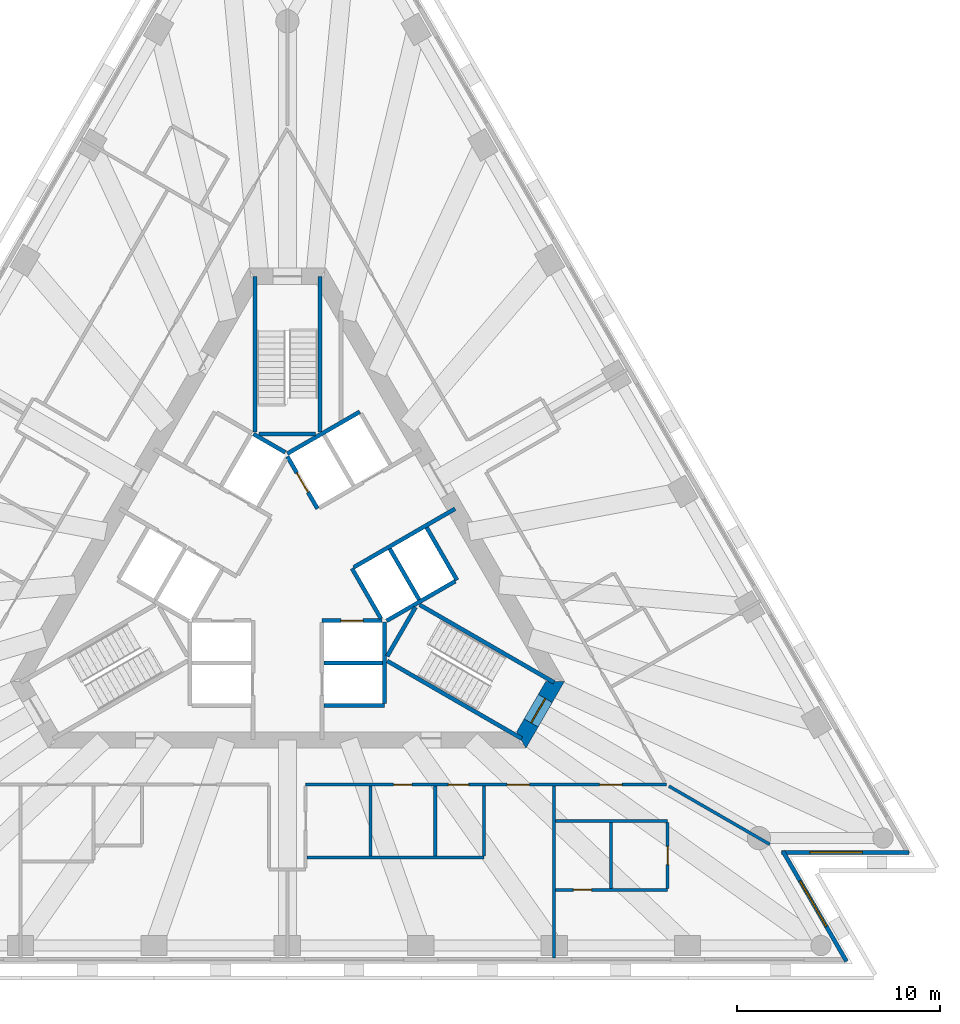
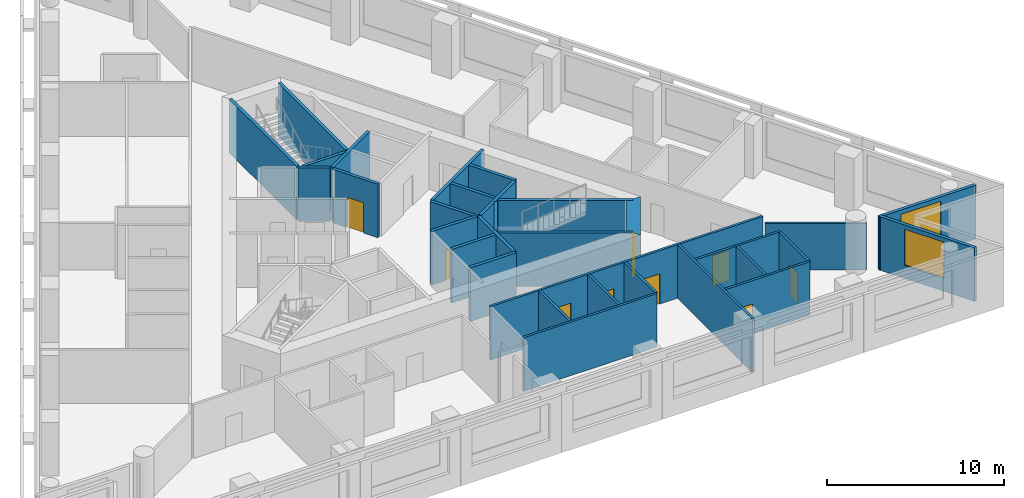
# One storey, part 5 of 10: 32 walls, 9 doors, 2 windows, 11 openings.
"""IFC4 building model written with IfcOpenShell, lengths in metres."""

import ifcopenshell
import ifcopenshell.guid

model = None  # the IFC model being written
_history = None  # IfcOwnerHistory: only IFC2X3 demands one
_inside = {}  # id of a spatial element -> (the spatial element, [elements in it])
_under = {}  # id of a project, library or spatial element -> (it, [spatial elements below it])
_declared = {}  # id of a project -> (the project, [libraries it declares])
_typed = {}  # id of a type object -> (the type object, [elements of that type])
_made_of = {}  # id of a material, layer set ... -> (it, [elements and type objects made of it])


def new_model(schema):
    """Start an empty IFC model of exactly this schema.

    Asked for "IFC4X3", IfcOpenShell would pick the latest addendum, in which some entities
    have other attributes; the version numbers below select the first issue.
    IFC2X3 requires an IfcOwnerHistory on every rooted entity: one is made here for all.
    """
    global model, _history
    if schema == "IFC4X3":
        model = ifcopenshell.file(schema_version=(4, 3, 0, 0))
    else:
        model = ifcopenshell.file(schema=schema)
    _inside.clear()
    _under.clear()
    _declared.clear()
    _typed.clear()
    _made_of.clear()
    _history = None
    if model.schema == "IFC2X3":
        org = make("IfcOrganization", Name="unknown")
        user = make(
            "IfcPersonAndOrganization",
            ThePerson=make("IfcPerson", FamilyName="unknown"),
            TheOrganization=org,
        )
        app = make(
            "IfcApplication",
            ApplicationDeveloper=org,
            Version="unknown",
            ApplicationFullName="unknown",
            ApplicationIdentifier="unknown",
        )
        _history = make(
            "IfcOwnerHistory",
            OwningUser=user,
            OwningApplication=app,
            ChangeAction="ADDED",
            CreationDate=0,
        )
    return model


def make(cls, **values):
    """One entity of the class cls with the attributes given. An attribute that is None is left unset."""
    return model.create_entity(
        cls, **{name: value for name, value in values.items() if value is not None}
    )


def rooted(cls, **values):
    """An entity with a GlobalId (a new one), such as an element, a storey or a relation."""
    return make(cls, GlobalId=ifcopenshell.guid.new(), OwnerHistory=_history, **values)


def si_unit(unit_type, name, prefix=None):
    """IfcSIUnit, for example si_unit("LENGTHUNIT", "METRE", prefix="MILLI")."""
    return make("IfcSIUnit", UnitType=unit_type, Prefix=prefix, Name=name)


def assignment(units):
    """IfcUnitAssignment: the units of a project."""
    return None if units is None else make("IfcUnitAssignment", Units=units)


def point(xyz):
    """IfcCartesianPoint."""
    return None if xyz is None else make("IfcCartesianPoint", Coordinates=xyz)


def direction(xyz):
    """IfcDirection."""
    return None if xyz is None else make("IfcDirection", DirectionRatios=xyz)


def frame(location, z_axis=None, x_axis=None):
    """IfcAxis2Placement3D, a coordinate frame: its origin and axes. An axis left out is left unset."""
    return make(
        "IfcAxis2Placement3D",
        Location=point(location),
        Axis=direction(z_axis),
        RefDirection=direction(x_axis),
    )


def frame_2d(location, x_axis=None):
    """IfcAxis2Placement2D, a coordinate frame in the plane: its origin and x axis."""
    return make(
        "IfcAxis2Placement2D", Location=point(location), RefDirection=direction(x_axis)
    )


def origin():
    """The frame at (0, 0, 0) with its axes left unset."""
    return frame((0.0, 0.0, 0.0))


def place(relative_to, where):
    """IfcLocalPlacement: puts the frame where relative to a parent placement (None: the world)."""
    return make(
        "IfcLocalPlacement", PlacementRelTo=relative_to, RelativePlacement=where
    )


def context(
    kind, dimensions, precision=None, world=None, true_north=None, identifier=None
):
    """IfcGeometricRepresentationContext, for example the 3D "Model" context."""
    return make(
        "IfcGeometricRepresentationContext",
        ContextIdentifier=identifier,
        ContextType=kind,
        CoordinateSpaceDimension=dimensions,
        Precision=precision,
        WorldCoordinateSystem=world,
        TrueNorth=true_north,
    )


def subcontext(parent, identifier, kind, view, scale=None):
    """IfcGeometricRepresentationSubContext, for example "Body" below "Model"."""
    return make(
        "IfcGeometricRepresentationSubContext",
        ContextIdentifier=identifier,
        ContextType=kind,
        ParentContext=parent,
        TargetScale=scale,
        TargetView=view,
    )


def project(units=None, contexts=None):
    """IfcProject with its units and contexts."""
    return rooted(
        "IfcProject",
        Name="project",
        RepresentationContexts=contexts,
        UnitsInContext=assignment(units),
    )


def spatial(cls, under=None, at=None, **own):
    """A site, building, storey or space (cls), placed at a placement, below another one or the project."""
    s = rooted(cls, ObjectPlacement=at, **own)
    if under is not None:
        _under.setdefault(under.id(), (under, []))[1].append(s)
    return s


def polyline(points):
    """IfcPolyline through the points."""
    return make("IfcPolyline", Points=[point(p) for p in points])


def profile(cls, at=None, kind="AREA", **sizes):
    """A parametric profile (cls). Its sizes go by their IFC names, for example OverallWidth=200.0."""
    return make(cls, ProfileType=kind, Position=at, **sizes)


def rectangle(**sizes):
    """IfcRectangleProfileDef."""
    return profile("IfcRectangleProfileDef", **sizes)


def outline(outer, holes=None, kind="AREA"):
    """IfcArbitraryClosedProfileDef: a profile drawn as a closed curve; with holes, ...WithVoids."""
    if holes is None:
        return make("IfcArbitraryClosedProfileDef", ProfileType=kind, OuterCurve=outer)
    return make(
        "IfcArbitraryProfileDefWithVoids",
        ProfileType=kind,
        OuterCurve=outer,
        InnerCurves=holes,
    )


def extrude(swept, where, along, depth):
    """IfcExtrudedAreaSolid: the profile swept, set in the frame where, extruded along a direction by depth."""
    return make(
        "IfcExtrudedAreaSolid",
        SweptArea=swept,
        Position=where,
        ExtrudedDirection=direction(along),
        Depth=depth,
    )


def shape(context_of_items, identifier, shape_type, items):
    """IfcShapeRepresentation: the items that make up one representation, for example the "Body"."""
    return make(
        "IfcShapeRepresentation",
        ContextOfItems=context_of_items,
        RepresentationIdentifier=identifier,
        RepresentationType=shape_type,
        Items=items,
    )


def material(Name=None, Category=None):
    """IfcMaterial."""
    return make("IfcMaterial", Name=Name, Category=Category)


def layer(
    of_material, thickness, ventilated=None, Name=None, Category=None, Priority=None
):
    """IfcMaterialLayer: one layer of a wall or slab, of a material (None: an air gap)."""
    return make(
        "IfcMaterialLayer",
        Material=of_material,
        LayerThickness=thickness,
        IsVentilated=ventilated,
        Name=Name,
        Category=Category,
        Priority=Priority,
    )


def layer_set(layers, Name=None):
    """IfcMaterialLayerSet."""
    return make("IfcMaterialLayerSet", MaterialLayers=layers, LayerSetName=Name)


def layer_usage(for_layer_set, set_direction, sense, offset, extent=None):
    """IfcMaterialLayerSetUsage: how a layer set lies in its element."""
    return make(
        "IfcMaterialLayerSetUsage",
        ForLayerSet=for_layer_set,
        LayerSetDirection=set_direction,
        DirectionSense=sense,
        OffsetFromReferenceLine=offset,
        ReferenceExtent=extent,
    )


def made_of(thing, what):
    """Note that an element or type object is made of a material, layer set ...; save() writes the relation."""
    if what is not None:
        _made_of.setdefault(what.id(), (what, []))[1].append(thing)
    return thing


def type_object(cls, material=None, **own):
    """A type object (cls), such as IfcWallType, which elements share."""
    return made_of(rooted(cls, **own), material)


def element(
    cls,
    number,
    at=None,
    inside=None,
    cuts=None,
    type_object=None,
    material=None,
    context=None,
    identifier="Body",
    shape_type=None,
    held_by="IfcProductDefinitionShape",
    body=None,
    shapes=None,
    **own,
):
    """One element of the class cls, such as IfcWall. Its Tag is "e" and its number.

    at: its placement. inside: the storey or other place that contains it. cuts: it is an
    opening in that element (IfcRelVoidsElement). A single representation is given by context,
    identifier, shape_type and body (its items); several are given by shapes. held_by: the class
    of the entity that holds the representations. save() writes the other relations.
    """
    e = rooted(cls, Tag="e%d" % number, ObjectPlacement=at, **own)
    if body is not None:
        shapes = [shape(context, identifier, shape_type, body)]
    if shapes is not None:
        e.Representation = make(held_by, Representations=shapes)
    if inside is not None:
        _inside.setdefault(inside.id(), (inside, []))[1].append(e)
    if cuts is not None:
        rooted(
            "IfcRelVoidsElement", RelatingBuildingElement=cuts, RelatedOpeningElement=e
        )
    if type_object is not None:
        _typed.setdefault(type_object.id(), (type_object, []))[1].append(e)
    return made_of(e, material)


def fill(opening, filler):
    """IfcRelFillsElement: the door or window that sits in an opening."""
    return rooted(
        "IfcRelFillsElement",
        RelatingOpeningElement=opening,
        RelatedBuildingElement=filler,
    )


def aggregate(whole, parts):
    """IfcRelAggregates: a whole, such as a stair, and the parts it consists of."""
    return rooted("IfcRelAggregates", RelatingObject=whole, RelatedObjects=parts)


def save(model, path):
    """Write the relations noted so far, then the file.

    IfcRelAggregates (storeys below a building ...), IfcRelContainedInSpatialStructure (elements
    in a storey), IfcRelDefinesByType, IfcRelAssociatesMaterial and IfcRelDeclares: one each for
    every whole, place, type object, material and project.
    """
    for whole, parts in _under.values():
        aggregate(whole, parts)
    for where, things in _inside.values():
        rooted(
            "IfcRelContainedInSpatialStructure",
            RelatedElements=things,
            RelatingStructure=where,
        )
    for kind, things in _typed.values():
        rooted("IfcRelDefinesByType", RelatedObjects=things, RelatingType=kind)
    for what, things in _made_of.values():
        rooted("IfcRelAssociatesMaterial", RelatedObjects=things, RelatingMaterial=what)
    for by, libraries in _declared.values():
        rooted("IfcRelDeclares", RelatingContext=by, RelatedDefinitions=libraries)
    model.write(path)


model = new_model("IFC4")

# Units and contexts
model_context = context("Model", 3, precision=1e-05, world=origin(), true_north=direction((0.0, 1.0)))
body_context = subcontext(model_context, "Body", "Model", "MODEL_VIEW")
ifc_project = project(units=[si_unit("LENGTHUNIT", "METRE"), si_unit("AREAUNIT", "SQUARE_METRE"), si_unit("VOLUMEUNIT", "CUBIC_METRE"), si_unit("PLANEANGLEUNIT", "RADIAN"), si_unit("MASSUNIT", "GRAM", prefix="KILO")], contexts=[model_context])

# Site, building, storey
site_placement = place(None, origin())
site = spatial("IfcSite", under=ifc_project, at=site_placement, CompositionType="ELEMENT")
building_placement = place(site_placement, origin())
building = spatial("IfcBuilding", under=site, at=building_placement, Name="Triada Interchange Tower", CompositionType="ELEMENT")
storey_placement = place(building_placement, frame((0.0, 0.0, 156.300048828125)))
storey = spatial("IfcBuildingStorey", under=building, at=storey_placement, Name="L36", CompositionType="ELEMENT", Elevation=156.300048828125)

# Walls
ifc_material_1 = material(Name="Concrete C30/37", Category="concrete")
ifc_layer_1 = layer(ifc_material_1, 0.199951171875)
ifc_layer_set_1 = layer_set([ifc_layer_1], Name="CORE WALL 200 EI 120")
wall_type_1 = type_object("IfcWallType", Name="CORE WALL 200 EI 120", PredefinedType="SOLIDWALL", material=ifc_layer_set_1)
wall_1_placement = place(storey_placement, frame((1.800048828125, -6.89990234375, 0.0), z_axis=(0.0, 0.0, 1.0), x_axis=(1.0, 0.0, 0.0)))
element("IfcWall", 1, at=wall_1_placement, inside=storey, type_object=wall_type_1, Name="Wall L35 55", PredefinedType="SOLIDWALL", context=body_context, shape_type="SweptSolid", body=[
    extrude(rectangle(XDim=3.0, YDim=0.199951171875, at=frame_2d((1.5, 0.0))), origin(), (0.0, 0.0, 1.0), 3.699951171875),
])
wall_2_placement = place(storey_placement, frame((1.800048828125, -4.800048828125, 0.0), z_axis=(0.0, 0.0, 1.0), x_axis=(1.0, 0.0, 0.0)))
element("IfcWall", 2, at=wall_2_placement, inside=storey, type_object=wall_type_1, Name="Wall L35 57", PredefinedType="SOLIDWALL", context=body_context, shape_type="SweptSolid", body=[
    extrude(rectangle(XDim=2.89990234375, YDim=0.199951171875, at=frame_2d((1.449951171875, 0.0))), origin(), (0.0, 0.0, 1.0), 3.699951171875),
])

# Wall, opening, door
wall_3_placement = place(storey_placement, frame((1.702880859375, -2.699951171875, 0.0), z_axis=(0.0, 0.0, 1.0), x_axis=(1.0, 0.0, 0.0)))
wall_3 = element("IfcWall", 3, at=wall_3_placement, inside=storey, type_object=wall_type_1, Name="Wall L35 60", PredefinedType="SOLIDWALL", context=body_context, shape_type="SweptSolid", body=[
    extrude(rectangle(XDim=2.97314453125, YDim=0.199951171875, at=frame_2d((1.486572265625, 0.0))), origin(), (0.0, 0.0, 1.0), 3.699951171875),
])
opening_1_placement = place(wall_3_placement, frame((0.93603515625, 0.0, 0.0)))
opening_1 = element("IfcOpeningElement", 4, at=opening_1_placement, cuts=wall_3, Name="Opening LD-LR1", PredefinedType="OPENING", context=body_context, shape_type="SweptSolid", body=[
    extrude(rectangle(XDim=1.10009765625, YDim=2.10009765625, at=frame_2d((0.550048828125, 1.050048828125))), frame((0.0, 0.10986328125, 0.0), z_axis=(0.0, -1.0, 0.0), x_axis=(1.0, 0.0, 0.0)), (0.0, 0.0, 1.0), 0.219970703125),
])
ifc_material_2 = material(Name="Steel S235 door leaf", Category="steel")
door_type_1 = type_object("IfcDoorType", Name="LIFT LANDING DOOR 1100 EI 120", OperationType="SLIDING_TO_LEFT", PredefinedType="DOOR", material=ifc_material_2)
door_1_placement = place(opening_1_placement, origin())
door_1 = element("IfcDoor", 5, at=door_1_placement, inside=storey, type_object=door_type_1, Name="LR1 landing door L36", OperationType="SLIDING_TO_LEFT", OverallHeight=2.10009765625, OverallWidth=1.10009765625, PredefinedType="DOOR", context=body_context, shape_type="SweptSolid", body=[
    extrude(rectangle(XDim=1.10009765625, YDim=2.10009765625, at=frame_2d((0.550048828125, 1.050048828125))), frame((0.0, 0.02490234375, 0.0), z_axis=(0.0, -1.0, 0.0), x_axis=(1.0, 0.0, 0.0)), (0.0, 0.0, 1.0), 0.050048828125),
])
fill(opening_1, door_1)

# Wall
wall_4_placement = place(storey_placement, frame((-0.001953125, 5.541015625, 0.0), z_axis=(0.0, 0.0, 1.0), x_axis=(0.86600155993, 0.500041296494, 0.0)))
element("IfcWall", 6, at=wall_4_placement, inside=storey, type_object=wall_type_1, Name="Wall L35 61", PredefinedType="SOLIDWALL", context=body_context, shape_type="SweptSolid", body=[
    extrude(rectangle(XDim=4.131591796875, YDim=0.199951171875, at=frame_2d((2.06591796875, 0.0))), origin(), (0.0, 0.0, 1.0), 3.699951171875),
])

# Wall, opening, door
wall_5_placement = place(storey_placement, frame((0.0, 5.39990234375, 0.0), z_axis=(0.0, 0.0, 1.0), x_axis=(0.500103862429, -0.865965430478, 0.0)))
wall_5 = element("IfcWall", 7, at=wall_5_placement, inside=storey, type_object=wall_type_1, Name="Wall L35 62", PredefinedType="SOLIDWALL", context=body_context, shape_type="SweptSolid", body=[
    extrude(rectangle(XDim=2.973388671875, YDim=0.199951171875, at=frame_2d((1.48681640625, 0.0))), origin(), (0.0, 0.0, 1.0), 3.699951171875),
])
opening_2_placement = place(wall_5_placement, frame((0.93701171875, 0.0, 0.0)))
opening_2 = element("IfcOpeningElement", 8, at=opening_2_placement, cuts=wall_5, Name="Opening LD-LR5", PredefinedType="OPENING", context=body_context, shape_type="SweptSolid", body=[
    extrude(rectangle(XDim=1.10009765625, YDim=2.10009765625, at=frame_2d((0.550048828125, 1.050048828125))), frame((0.0, 0.10986328125, 0.0), z_axis=(0.0, -1.0, 0.0), x_axis=(1.0, 0.0, 0.0)), (0.0, 0.0, 1.0), 0.219970703125),
])
door_2_placement = place(opening_2_placement, origin())
door_2 = element("IfcDoor", 9, at=door_2_placement, inside=storey, type_object=door_type_1, Name="LR5 landing door L36", OperationType="SLIDING_TO_LEFT", OverallHeight=2.10009765625, OverallWidth=1.10009765625, PredefinedType="DOOR", context=body_context, shape_type="SweptSolid", body=[
    extrude(rectangle(XDim=1.10009765625, YDim=2.10009765625, at=frame_2d((0.550048828125, 1.050048828125))), frame((0.0, 0.02490234375, 0.0), z_axis=(0.0, -1.0, 0.0), x_axis=(1.0, 0.0, 0.0)), (0.0, 0.0, 1.0), 0.050048828125),
])
fill(opening_2, door_2)

# Walls
wall_6_placement = place(storey_placement, frame((3.18994140625, -0.125, 0.0), z_axis=(0.0, 0.0, 1.0), x_axis=(0.499988658015, -0.866031951983, 0.0)))
element("IfcWall", 10, at=wall_6_placement, inside=storey, type_object=wall_type_1, Name="Wall L35 63", PredefinedType="SOLIDWALL", context=body_context, shape_type="SweptSolid", body=[
    extrude(rectangle(XDim=2.85791015625, YDim=0.199951171875, at=frame_2d((1.428955078125, 0.0))), origin(), (0.0, 0.0, 1.0), 3.699951171875),
])
wall_7_placement = place(storey_placement, frame((4.800048828125, -6.800048828125, 0.0), z_axis=(0.0, 0.0, 1.0), x_axis=(0.0, 1.0, 0.0)))
element("IfcWall", 11, at=wall_7_placement, inside=storey, type_object=wall_type_1, Name="Wall L35 66", PredefinedType="SOLIDWALL", context=body_context, shape_type="SweptSolid", body=[
    extrude(rectangle(XDim=4.029052734375, YDim=0.199951171875, at=frame_2d((2.0146484375, 0.0))), origin(), (0.0, 0.0, 1.0), 3.699951171875),
])
wall_8_placement = place(storey_placement, frame((5.056884765625, 0.841064453125, 0.0), z_axis=(0.0, 0.0, 1.0), x_axis=(0.50012328804, -0.865954211699, 0.0)))
element("IfcWall", 12, at=wall_8_placement, inside=storey, type_object=wall_type_1, Name="Wall L35 68", PredefinedType="SOLIDWALL", context=body_context, shape_type="SweptSolid", body=[
    extrude(rectangle(XDim=2.899658203125, YDim=0.199951171875, at=frame_2d((1.44970703125, 0.0))), origin(), (0.0, 0.0, 1.0), 3.699951171875),
])
wall_9_placement = place(storey_placement, frame((6.8759765625, 1.89111328125, 0.0), z_axis=(0.0, 0.0, 1.0), x_axis=(0.499990139034, -0.866031096941, 0.0)))
element("IfcWall", 13, at=wall_9_placement, inside=storey, type_object=wall_type_1, Name="Wall L35 70", PredefinedType="SOLIDWALL", context=body_context, shape_type="SweptSolid", body=[
    extrude(rectangle(XDim=3.0, YDim=0.199951171875, at=frame_2d((1.5, 0.0))), origin(), (0.0, 0.0, 1.0), 3.699951171875),
])
wall_10_placement = place(storey_placement, frame((3.278076171875, -0.071044921875, 0.0), z_axis=(0.0, 0.0, 1.0), x_axis=(0.865929348003, 0.5001663366, 0.0)))
element("IfcWall", 14, at=wall_10_placement, inside=storey, type_object=wall_type_1, Name="Wall L35 71", PredefinedType="SOLIDWALL", context=body_context, shape_type="SweptSolid", body=[
    extrude(rectangle(XDim=5.7763671875, YDim=0.199951171875, at=frame_2d((2.88818359375, 0.0))), origin(), (0.0, 0.0, 1.0), 3.699951171875),
])
wall_11_placement = place(storey_placement, frame((4.89990234375, -2.714111328125, 0.0), z_axis=(0.0, 0.0, 1.0), x_axis=(0.865992350556, 0.500057245502, 0.0)))
element("IfcWall", 15, at=wall_11_placement, inside=storey, type_object=wall_type_1, Name="Wall L35 72", PredefinedType="SOLIDWALL", context=body_context, shape_type="SweptSolid", body=[
    extrude(rectangle(XDim=3.91357421875, YDim=0.199951171875, at=frame_2d((1.956787109375, 0.0))), origin(), (0.0, 0.0, 1.0), 3.699951171875),
])
ifc_layer_2 = layer(ifc_material_1, 0.199951171875)
ifc_layer_set_2 = layer_set([ifc_layer_2], Name="CORE WALL 200 EI 180")
wall_type_2 = type_object("IfcWallType", Name="CORE WALL 200 EI 180", PredefinedType="SOLIDWALL", material=ifc_layer_set_2)
wall_12_placement = place(storey_placement, frame((-1.669921875, 6.507080078125, 0.0), z_axis=(0.0, 0.0, 1.0), x_axis=(0.865941441609, -0.500145398563, 0.0)))
element("IfcWall", 16, at=wall_12_placement, inside=storey, type_object=wall_type_2, Name="Shaft wall FF2 L35 86", PredefinedType="SOLIDWALL", context=body_context, shape_type="SweptSolid", body=[
    extrude(rectangle(XDim=1.8154296875, YDim=0.199951171875, at=frame_2d((0.90771484375, 0.0))), origin(), (0.0, 0.0, 1.0), 3.699951171875),
])
ifc_layer_3 = layer(ifc_material_1, 0.199951171875)
ifc_layer_set_3 = layer_set([ifc_layer_3], Name="CORE WALL 200 REI 240")
wall_type_3 = type_object("IfcWallType", Name="CORE WALL 200 REI 240", PredefinedType="SOLIDWALL", material=ifc_layer_set_3)
wall_13_placement = place(storey_placement, frame((1.60009765625, 6.614990234375, 0.0), z_axis=(0.0, 0.0, 1.0), x_axis=(0.0, 1.0, 0.0)))
element("IfcWall", 17, at=wall_13_placement, inside=storey, type_object=wall_type_3, Name="Wall L35 92", PredefinedType="SOLIDWALL", context=body_context, shape_type="SweptSolid", body=[
    extrude(rectangle(XDim=7.6650390625, YDim=0.199951171875, at=frame_2d((3.83251953125, 0.0))), origin(), (0.0, 0.0, 1.0), 3.699951171875),
])
wall_14_placement = place(storey_placement, frame((-1.39990234375, 6.5, 0.0), z_axis=(0.0, 0.0, 1.0), x_axis=(1.0, 0.0, 0.0)))
element("IfcWall", 18, at=wall_14_placement, inside=storey, type_object=wall_type_3, Name="Wall L35 93", PredefinedType="SOLIDWALL", context=body_context, shape_type="SweptSolid", body=[
    extrude(rectangle(XDim=2.7998046875, YDim=0.199951171875, at=frame_2d((1.39990234375, 0.0))), origin(), (0.0, 0.0, 1.0), 3.699951171875),
])
for number, where, z_axis, x_axis, name in (
    (19, (-1.60009765625, 6.614990234375, 0.0), (0.0, 0.0, 1.0), (0.0, 1.0, 0.0), "Wall L35 94"),
    (20, (4.928955078125, -4.693115234375, 0.0), (0.0, 0.0, 1.0), (0.866005769735, -0.50003400563, 0.0), "Wall L35 95"),
):
    element("IfcWall", number, at=place(storey_placement, frame(where, z_axis=z_axis, x_axis=x_axis)), inside=storey, type_object=wall_type_3, Name=name, PredefinedType="SOLIDWALL", context=body_context, shape_type="SweptSolid", body=[
        extrude(rectangle(XDim=7.6650390625, YDim=0.199951171875, at=frame_2d((3.83251953125, 0.0))), origin(), (0.0, 0.0, 1.0), 3.699951171875),
    ])
wall_15_placement = place(storey_placement, frame((4.928955078125, -4.4619140625, 0.0), z_axis=(0.0, 0.0, 1.0), x_axis=(0.500200581029, 0.865909567298, 0.0)))
element("IfcWall", 21, at=wall_15_placement, inside=storey, type_object=wall_type_3, Name="Wall L35 96", PredefinedType="SOLIDWALL", context=body_context, shape_type="SweptSolid", body=[
    extrude(rectangle(XDim=2.799072265625, YDim=0.199951171875, at=frame_2d((1.3994140625, 0.0))), origin(), (0.0, 0.0, 1.0), 3.699951171875),
])
wall_16_placement = place(storey_placement, frame((6.529052734375, -1.922119140625, 0.0), z_axis=(0.0, 0.0, 1.0), x_axis=(0.866060938598, -0.499938446846, 0.0)))
element("IfcWall", 22, at=wall_16_placement, inside=storey, type_object=wall_type_3, Name="Wall L35 97", PredefinedType="SOLIDWALL", context=body_context, shape_type="SweptSolid", body=[
    extrude(rectangle(XDim=7.66455078125, YDim=0.199951171875, at=frame_2d((3.832275390625, 0.0))), origin(), (0.0, 0.0, 1.0), 3.699951171875),
])

# Wall, opening, door
ifc_material_3 = material(Name="Concrete C60/75", Category="concrete")
ifc_layer_4 = layer(ifc_material_3, 0.800048828125)
ifc_layer_set_4 = layer_set([ifc_layer_4], Name="Core wall B 800")
wall_type_4 = type_object("IfcWallType", Name="Core wall B 800", PredefinedType="SHEAR", material=ifc_layer_set_4)
wall_17_placement = place(storey_placement, frame((11.547119140625, -8.60009765625, -0.300048828125), z_axis=(0.0, 0.0, 1.0), x_axis=(0.49987182685, 0.866099391942, 0.0)))
wall_17 = element("IfcWall", 23, at=wall_17_placement, inside=storey, type_object=wall_type_4, Name="Core wall WB05 L36", PredefinedType="SHEAR", context=body_context, shape_type="SweptSolid", body=[
    extrude(outline(polyline([(-0.23095703125, -0.39990234375), (1.674072265625, -0.39990234375), (3.5791015625, -0.39990234375), (3.117919921875, 0.39990234375), (1.67431640625, 0.39990234375), (0.23095703125, 0.39990234375), (-0.23095703125, -0.39990234375)])), origin(), (0.0, 0.0, 1.0), 4.0),
])
opening_3_placement = place(wall_17_placement, frame((0.97412109375, 0.0, 0.300048828125)))
opening_3 = element("IfcOpeningElement", 24, at=opening_3_placement, cuts=wall_17, Name="Opening D35-39", PredefinedType="OPENING", context=body_context, shape_type="SweptSolid", body=[
    extrude(rectangle(XDim=1.39990234375, YDim=2.10009765625, at=frame_2d((0.699951171875, 1.050048828125))), frame((0.0, 0.409912109375, 0.0), z_axis=(0.0, -1.0, 0.0), x_axis=(1.0, 0.0, 0.0)), (0.0, 0.0, 1.0), 0.820068359375),
])
door_type_2 = type_object("IfcDoorType", Name="STAIR DOOR 1400 EI2 90-C5S200", OperationType="DOUBLE_DOOR_SINGLE_SWING", PredefinedType="DOOR", material=ifc_material_2)
door_3_placement = place(opening_3_placement, origin())
door_3 = element("IfcDoor", 25, at=door_3_placement, inside=storey, type_object=door_type_2, Name="Door D35-39 L36", OperationType="DOUBLE_DOOR_SINGLE_SWING", OverallHeight=2.10009765625, OverallWidth=1.39990234375, PredefinedType="DOOR", context=body_context, shape_type="SweptSolid", body=[
    extrude(rectangle(XDim=1.39990234375, YDim=2.10009765625, at=frame_2d((0.699951171875, 1.050048828125))), frame((0.0, 0.02490234375, 0.0), z_axis=(0.0, -1.0, 0.0), x_axis=(1.0, 0.0, 0.0)), (0.0, 0.0, 1.0), 0.050048828125),
])
fill(opening_3, door_3)

# Wall, opening, window
ifc_material_4 = material(Name="Cement board")
ifc_layer_5 = layer(ifc_material_4, 0.02001953125, Name="Cement board cladding")
ifc_material_5 = material(Name="Sheathing board")
ifc_layer_6 = layer(ifc_material_5, 0.014892578125, Name="Sheathing board")
ifc_material_6 = material(Name="Mineral wool")
ifc_layer_7 = layer(ifc_material_6, 0.14990234375, Name="Mineral wool between steel studs")
ifc_material_7 = material(Name="Gypsum board")
ifc_layer_8 = layer(ifc_material_7, 0.014892578125, Name="Plasterboard lining")
ifc_layer_set_5 = layer_set([ifc_layer_5, ifc_layer_6, ifc_layer_7, ifc_layer_8], Name="External wall 200")
ifc_layer_usage = layer_usage(ifc_layer_set_5, "AXIS2", "POSITIVE", -0.10009765625)
wall_type_5 = type_object("IfcWallType", Name="External wall 200", PredefinedType="ELEMENTEDWALL", material=ifc_layer_set_5)
wall_18_placement = place(storey_placement, frame((27.60205078125, -19.52392578125, 0.0), z_axis=(0.0, 0.0, 1.0), x_axis=(-0.500074377092, 0.865982457891, 0.0)))
wall_18 = element("IfcWall", 26, at=wall_18_placement, inside=storey, type_object=wall_type_5, material=ifc_layer_usage, Name="External wall L36 SE-1", PredefinedType="ELEMENTEDWALL", context=body_context, shape_type="SweptSolid", body=[
    extrude(rectangle(XDim=6.28515625, YDim=0.199951171875, at=frame_2d((3.142578125, 0.0))), origin(), (0.0, 0.0, 1.0), 3.699951171875),
])
opening_4_placement = place(wall_18_placement, frame((1.989990234375, 0.0, 0.89990234375)))
opening_4 = element("IfcOpeningElement", 27, at=opening_4_placement, cuts=wall_18, Name="Opening WB19", PredefinedType="OPENING", context=body_context, shape_type="SweptSolid", body=[
    extrude(rectangle(XDim=2.60009765625, YDim=2.5, at=frame_2d((1.300048828125, 1.25))), frame((0.0, 0.10986328125, 0.0), z_axis=(0.0, -1.0, 0.0), x_axis=(1.0, 0.0, 0.0)), (0.0, 0.0, 1.0), 0.219970703125),
])
ifc_material_8 = material(Name="Double glazed aluminium window", Category="aluminium")
window_type = type_object("IfcWindowType", Name="Ribbon window B pocket", PartitioningType="SINGLE_PANEL", PredefinedType="WINDOW", material=ifc_material_8)
window_1_placement = place(opening_4_placement, origin())
window_1 = element("IfcWindow", 28, at=window_1_placement, inside=storey, type_object=window_type, Name="Window L36 SE-1 1", OverallHeight=2.5, OverallWidth=2.60009765625, PartitioningType="SINGLE_PANEL", PredefinedType="WINDOW", context=body_context, shape_type="SweptSolid", body=[
    extrude(rectangle(XDim=2.60009765625, YDim=2.5, at=frame_2d((1.300048828125, 1.25))), frame((0.0, 0.030029296875, 0.0), z_axis=(0.0, -1.0, 0.0), x_axis=(1.0, 0.0, 0.0)), (0.0, 0.0, 1.0), 0.06005859375),
])
fill(opening_4, window_1)

wall_19_placement = place(storey_placement, frame((24.404052734375, -14.14208984375, 0.0), z_axis=(0.0, 0.0, 1.0), x_axis=(1.0, 0.0, 0.0)))
wall_19 = element("IfcWall", 29, at=wall_19_placement, inside=storey, type_object=wall_type_5, material=ifc_layer_usage, Name="External wall L36 SE-2", PredefinedType="ELEMENTEDWALL", context=body_context, shape_type="SweptSolid", body=[
    extrude(rectangle(XDim=6.284912109375, YDim=0.199951171875, at=frame_2d((3.142578125, 0.0))), origin(), (0.0, 0.0, 1.0), 3.699951171875),
])
opening_5_placement = place(wall_19_placement, frame((1.389892578125, 0.0, 0.89990234375)))
opening_5 = element("IfcOpeningElement", 30, at=opening_5_placement, cuts=wall_19, Name="Opening WB20", PredefinedType="OPENING", context=body_context, shape_type="SweptSolid", body=[
    extrude(rectangle(XDim=2.60009765625, YDim=2.5, at=frame_2d((1.300048828125, 1.25))), frame((0.0, 0.10986328125, 0.0), z_axis=(0.0, -1.0, 0.0), x_axis=(1.0, 0.0, 0.0)), (0.0, 0.0, 1.0), 0.219970703125),
])
window_2_placement = place(opening_5_placement, origin())
window_2 = element("IfcWindow", 31, at=window_2_placement, inside=storey, type_object=window_type, Name="Window L36 SE-2 1", OverallHeight=2.5, OverallWidth=2.60009765625, PartitioningType="SINGLE_PANEL", PredefinedType="WINDOW", context=body_context, shape_type="SweptSolid", body=[
    extrude(rectangle(XDim=2.60009765625, YDim=2.5, at=frame_2d((1.300048828125, 1.25))), frame((0.0, 0.030029296875, 0.0), z_axis=(0.0, -1.0, 0.0), x_axis=(1.0, 0.0, 0.0)), (0.0, 0.0, 1.0), 0.06005859375),
])
fill(opening_5, window_2)

# Wall, openings, doors
ifc_material_9 = material(Name="Gypsum board partition")
ifc_layer_9 = layer(ifc_material_9, 0.14990234375)
ifc_layer_set_6 = layer_set([ifc_layer_9], Name="PARTITION 150 EI 180")
wall_type_6 = type_object("IfcWallType", Name="PARTITION 150 EI 180", PredefinedType="PARTITIONING", material=ifc_layer_set_6)
wall_20_placement = place(storey_placement, frame((0.90087890625, -10.800048828125, 0.0), z_axis=(0.0, 0.0, 1.0), x_axis=(1.0, 0.0, 0.0)))
wall_20 = element("IfcWall", 32, at=wall_20_placement, inside=storey, type_object=wall_type_6, Name="Wall L35 5", PredefinedType="PARTITIONING", context=body_context, shape_type="SweptSolid", body=[
    extrude(rectangle(XDim=17.80517578125, YDim=0.14990234375, at=frame_2d((8.902587890625, 0.0))), origin(), (0.0, 0.0, 1.0), 3.699951171875),
])
opening_6_placement = place(wall_20_placement, frame((9.948974609375, 0.0, 0.0)))
opening_6 = element("IfcOpeningElement", 33, at=opening_6_placement, cuts=wall_20, Name="Opening D35-15", PredefinedType="OPENING", context=body_context, shape_type="SweptSolid", body=[
    extrude(rectangle(XDim=1.10009765625, YDim=2.10009765625, at=frame_2d((0.550048828125, 1.050048828125))), frame((0.0, 0.0849609375, 0.0), z_axis=(0.0, -1.0, 0.0), x_axis=(1.0, 0.0, 0.0)), (0.0, 0.0, 1.0), 0.169921875),
])
opening_7_placement = place(wall_20_placement, frame((4.34912109375, 0.0, 0.0)))
opening_7 = element("IfcOpeningElement", 34, at=opening_7_placement, cuts=wall_20, Name="Opening D35-17", PredefinedType="OPENING", context=body_context, shape_type="SweptSolid", body=[
    extrude(rectangle(XDim=0.89990234375, YDim=2.10009765625, at=frame_2d((0.449951171875, 1.050048828125))), frame((0.0, 0.0849609375, 0.0), z_axis=(0.0, -1.0, 0.0), x_axis=(1.0, 0.0, 0.0)), (0.0, 0.0, 1.0), 0.169921875),
])
opening_8_placement = place(wall_20_placement, frame((7.049072265625, 0.0, 0.0)))
opening_8 = element("IfcOpeningElement", 35, at=opening_8_placement, cuts=wall_20, Name="Opening D35-18", PredefinedType="OPENING", context=body_context, shape_type="SweptSolid", body=[
    extrude(rectangle(XDim=1.0, YDim=2.10009765625, at=frame_2d((0.5, 1.050048828125))), frame((0.0, 0.0849609375, 0.0), z_axis=(0.0, -1.0, 0.0), x_axis=(1.0, 0.0, 0.0)), (0.0, 0.0, 1.0), 0.169921875),
])
opening_9_placement = place(wall_20_placement, frame((14.52099609375, 0.0, 0.0)))
opening_9 = element("IfcOpeningElement", 36, at=opening_9_placement, cuts=wall_20, Name="Opening D35-19", PredefinedType="OPENING", context=body_context, shape_type="SweptSolid", body=[
    extrude(rectangle(XDim=1.10009765625, YDim=2.10009765625, at=frame_2d((0.550048828125, 1.050048828125))), frame((0.0, 0.0849609375, 0.0), z_axis=(0.0, -1.0, 0.0), x_axis=(1.0, 0.0, 0.0)), (0.0, 0.0, 1.0), 0.169921875),
])
door_type_3 = type_object("IfcDoorType", Name="ROOM DOOR 1000 EI2 90-C5S200", OperationType="NOTDEFINED", PredefinedType="DOOR", material=ifc_material_2)
door_4_placement = place(opening_8_placement, origin())
door_4 = element("IfcDoor", 37, at=door_4_placement, inside=storey, type_object=door_type_3, Name="Door D35-18 L36", OperationType="SINGLE_SWING_LEFT", OverallHeight=2.10009765625, OverallWidth=1.0, PredefinedType="DOOR", context=body_context, shape_type="SweptSolid", body=[
    extrude(rectangle(XDim=1.0, YDim=2.10009765625, at=frame_2d((0.5, 1.050048828125))), frame((0.0, 0.02490234375, 0.0), z_axis=(0.0, -1.0, 0.0), x_axis=(1.0, 0.0, 0.0)), (0.0, 0.0, 1.0), 0.050048828125),
])
fill(opening_8, door_4)
door_type_4 = type_object("IfcDoorType", Name="ROOM DOOR 900 EI2 90-C5S200", OperationType="NOTDEFINED", PredefinedType="DOOR", material=ifc_material_2)
door_5_placement = place(opening_7_placement, origin())
door_5 = element("IfcDoor", 38, at=door_5_placement, inside=storey, type_object=door_type_4, Name="Door D35-17 L36", OperationType="SINGLE_SWING_RIGHT", OverallHeight=2.10009765625, OverallWidth=0.89990234375, PredefinedType="DOOR", context=body_context, shape_type="SweptSolid", body=[
    extrude(rectangle(XDim=0.89990234375, YDim=2.10009765625, at=frame_2d((0.449951171875, 1.050048828125))), frame((0.0, 0.02490234375, 0.0), z_axis=(0.0, -1.0, 0.0), x_axis=(1.0, 0.0, 0.0)), (0.0, 0.0, 1.0), 0.050048828125),
])
fill(opening_7, door_5)
door_type_5 = type_object("IfcDoorType", Name="TENANCY ENTRANCE DOOR 1100 EI2 90-C5S200", OperationType="NOTDEFINED", PredefinedType="DOOR", material=ifc_material_2)
door_6_placement = place(opening_6_placement, origin())
door_6 = element("IfcDoor", 39, at=door_6_placement, inside=storey, type_object=door_type_5, Name="Door D35-15 L36", OperationType="SINGLE_SWING_LEFT", OverallHeight=2.10009765625, OverallWidth=1.10009765625, PredefinedType="DOOR", context=body_context, shape_type="SweptSolid", body=[
    extrude(rectangle(XDim=1.10009765625, YDim=2.10009765625, at=frame_2d((0.550048828125, 1.050048828125))), frame((0.0, 0.02490234375, 0.0), z_axis=(0.0, -1.0, 0.0), x_axis=(1.0, 0.0, 0.0)), (0.0, 0.0, 1.0), 0.050048828125),
])
fill(opening_6, door_6)
door_7_placement = place(opening_9_placement, origin())
door_7 = element("IfcDoor", 40, at=door_7_placement, inside=storey, type_object=door_type_5, Name="Door D35-19 L36", OperationType="SINGLE_SWING_LEFT", OverallHeight=2.10009765625, OverallWidth=1.10009765625, PredefinedType="DOOR", context=body_context, shape_type="SweptSolid", body=[
    extrude(rectangle(XDim=1.10009765625, YDim=2.10009765625, at=frame_2d((0.550048828125, 1.050048828125))), frame((0.0, 0.02490234375, 0.0), z_axis=(0.0, -1.0, 0.0), x_axis=(1.0, 0.0, 0.0)), (0.0, 0.0, 1.0), 0.050048828125),
])
fill(opening_9, door_7)

# Walls
wall_21_placement = place(storey_placement, frame((18.8359375, -10.875, 0.0), z_axis=(0.0, 0.0, 1.0), x_axis=(0.86606191518, -0.499936755075, 0.0)))
element("IfcWall", 41, at=wall_21_placement, inside=storey, type_object=wall_type_6, Name="Wall L35 9", PredefinedType="PARTITIONING", context=body_context, shape_type="SweptSolid", body=[
    extrude(rectangle(XDim=5.752685546875, YDim=0.14990234375, at=frame_2d((2.87646484375, 0.0))), origin(), (0.0, 0.0, 1.0), 3.199951171875),
])
wall_22_placement = place(storey_placement, frame((0.97509765625, -14.39990234375, 0.0), z_axis=(0.0, 0.0, 1.0), x_axis=(1.0, 0.0, 0.0)))
element("IfcWall", 42, at=wall_22_placement, inside=storey, type_object=wall_type_6, Name="Wall L35 32", PredefinedType="PARTITIONING", context=body_context, shape_type="SweptSolid", body=[
    extrude(rectangle(XDim=8.724853515625, YDim=0.14990234375, at=frame_2d((4.3623046875, 0.0))), origin(), (0.0, 0.0, 1.0), 3.699951171875),
])
for number, where, z_axis, x_axis, name in (
    (43, (4.10009765625, -14.324951171875, 0.0), (0.0, 0.0, 1.0), (0.0, 1.0, 0.0), "Wall L35 33"),
    (44, (9.699951171875, -14.324951171875, 0.0), (0.0, 0.0, 1.0), (0.0, 1.0, 0.0), "Wall L35 34"),
    (45, (7.300048828125, -14.324951171875, 0.0), (0.0, 0.0, 1.0), (0.0, 1.0, 0.0), "Wall L35 35"),
):
    element("IfcWall", number, at=place(storey_placement, frame(where, z_axis=z_axis, x_axis=x_axis)), inside=storey, type_object=wall_type_6, Name=name, PredefinedType="PARTITIONING", context=body_context, shape_type="SweptSolid", body=[
        extrude(rectangle(XDim=3.449951171875, YDim=0.14990234375, at=frame_2d((1.72509765625, 0.0))), origin(), (0.0, 0.0, 1.0), 3.699951171875),
    ])
wall_23_placement = place(storey_placement, frame((13.172119140625, -19.365966796875, 0.0), z_axis=(0.0, 0.0, 1.0), x_axis=(0.0, 1.0, 0.0)))
element("IfcWall", 46, at=wall_23_placement, inside=storey, type_object=wall_type_6, Name="Wall L35 37", PredefinedType="PARTITIONING", context=body_context, shape_type="SweptSolid", body=[
    extrude(rectangle(XDim=8.490966796875, YDim=0.14990234375, at=frame_2d((4.24560546875, 0.0))), origin(), (0.0, 0.0, 1.0), 3.699951171875),
])

# Wall, opening, door
ifc_layer_10 = layer(ifc_material_9, 0.14990234375)
ifc_layer_set_7 = layer_set([ifc_layer_10], Name="PARTITION 150 EI 90")
wall_type_7 = type_object("IfcWallType", Name="PARTITION 150 EI 90", PredefinedType="PARTITIONING", material=ifc_layer_set_7)
wall_24_placement = place(storey_placement, frame((13.2470703125, -16.0, 0.0), z_axis=(0.0, 0.0, 1.0), x_axis=(1.0, 0.0, 0.0)))
wall_24 = element("IfcWall", 47, at=wall_24_placement, inside=storey, type_object=wall_type_7, Name="Wall L35 47", PredefinedType="PARTITIONING", context=body_context, shape_type="SweptSolid", body=[
    extrude(rectangle(XDim=5.52490234375, YDim=0.14990234375, at=frame_2d((2.762451171875, 0.0))), origin(), (0.0, 0.0, 1.0), 3.699951171875),
])
opening_10_placement = place(wall_24_placement, frame((0.875, 0.0, 0.0)))
opening_10 = element("IfcOpeningElement", 48, at=opening_10_placement, cuts=wall_24, Name="Opening D35-20", PredefinedType="OPENING", context=body_context, shape_type="SweptSolid", body=[
    extrude(rectangle(XDim=0.89990234375, YDim=2.10009765625, at=frame_2d((0.449951171875, 1.050048828125))), frame((0.0, 0.0849609375, 0.0), z_axis=(0.0, -1.0, 0.0), x_axis=(1.0, 0.0, 0.0)), (0.0, 0.0, 1.0), 0.169921875),
])
door_type_6 = type_object("IfcDoorType", Name="ROOM DOOR 900 EI2 45-C5S200", OperationType="NOTDEFINED", PredefinedType="DOOR", material=ifc_material_2)
door_8_placement = place(opening_10_placement, origin())
door_8 = element("IfcDoor", 49, at=door_8_placement, inside=storey, type_object=door_type_6, Name="Door D35-20 L36", OperationType="SINGLE_SWING_LEFT", OverallHeight=2.10009765625, OverallWidth=0.89990234375, PredefinedType="DOOR", context=body_context, shape_type="SweptSolid", body=[
    extrude(rectangle(XDim=0.89990234375, YDim=2.10009765625, at=frame_2d((0.449951171875, 1.050048828125))), frame((0.0, 0.02490234375, 0.0), z_axis=(0.0, -1.0, 0.0), x_axis=(1.0, 0.0, 0.0)), (0.0, 0.0, 1.0), 0.050048828125),
])
fill(opening_10, door_8)

# Wall
wall_25_placement = place(storey_placement, frame((13.2470703125, -12.60009765625, 0.0), z_axis=(0.0, 0.0, 1.0), x_axis=(1.0, 0.0, 0.0)))
element("IfcWall", 50, at=wall_25_placement, inside=storey, type_object=wall_type_7, Name="Wall L35 48", PredefinedType="PARTITIONING", context=body_context, shape_type="SweptSolid", body=[
    extrude(rectangle(XDim=5.52490234375, YDim=0.14990234375, at=frame_2d((2.762451171875, 0.0))), origin(), (0.0, 0.0, 1.0), 3.699951171875),
])

# Wall, opening, door
wall_26_placement = place(storey_placement, frame((18.77197265625, -15.925048828125, 0.0), z_axis=(0.0, 0.0, 1.0), x_axis=(0.0, 1.0, 0.0)))
wall_26 = element("IfcWall", 51, at=wall_26_placement, inside=storey, type_object=wall_type_7, Name="Wall L35 49", PredefinedType="PARTITIONING", context=body_context, shape_type="SweptSolid", body=[
    extrude(rectangle(XDim=3.25, YDim=0.14990234375, at=frame_2d((1.625, 0.0))), origin(), (0.0, 0.0, 1.0), 3.699951171875),
])
opening_11_placement = place(wall_26_placement, frame((1.175048828125, 0.0, 0.0)))
opening_11 = element("IfcOpeningElement", 52, at=opening_11_placement, cuts=wall_26, Name="Opening D35-21", PredefinedType="OPENING", context=body_context, shape_type="SweptSolid", body=[
    extrude(rectangle(XDim=0.89990234375, YDim=2.10009765625, at=frame_2d((0.449951171875, 1.050048828125))), frame((0.0, 0.0849609375, 0.0), z_axis=(0.0, -1.0, 0.0), x_axis=(1.0, 0.0, 0.0)), (0.0, 0.0, 1.0), 0.169921875),
])
door_9_placement = place(opening_11_placement, origin())
door_9 = element("IfcDoor", 53, at=door_9_placement, inside=storey, type_object=door_type_6, Name="Door D35-21 L36", OperationType="SINGLE_SWING_RIGHT", OverallHeight=2.10009765625, OverallWidth=0.89990234375, PredefinedType="DOOR", context=body_context, shape_type="SweptSolid", body=[
    extrude(rectangle(XDim=0.89990234375, YDim=2.10009765625, at=frame_2d((0.449951171875, 1.050048828125))), frame((0.0, 0.02490234375, 0.0), z_axis=(0.0, -1.0, 0.0), x_axis=(1.0, 0.0, 0.0)), (0.0, 0.0, 1.0), 0.050048828125),
])
fill(opening_11, door_9)

# Wall
wall_27_placement = place(storey_placement, frame((15.971923828125, -15.925048828125, 0.0), z_axis=(0.0, 0.0, 1.0), x_axis=(0.0, 1.0, 0.0)))
element("IfcWall", 54, at=wall_27_placement, inside=storey, type_object=wall_type_7, Name="Wall L35 50", PredefinedType="PARTITIONING", context=body_context, shape_type="SweptSolid", body=[
    extrude(rectangle(XDim=3.25, YDim=0.14990234375, at=frame_2d((1.625, 0.0))), origin(), (0.0, 0.0, 1.0), 3.699951171875),
])

save(model, "model.ifc")
